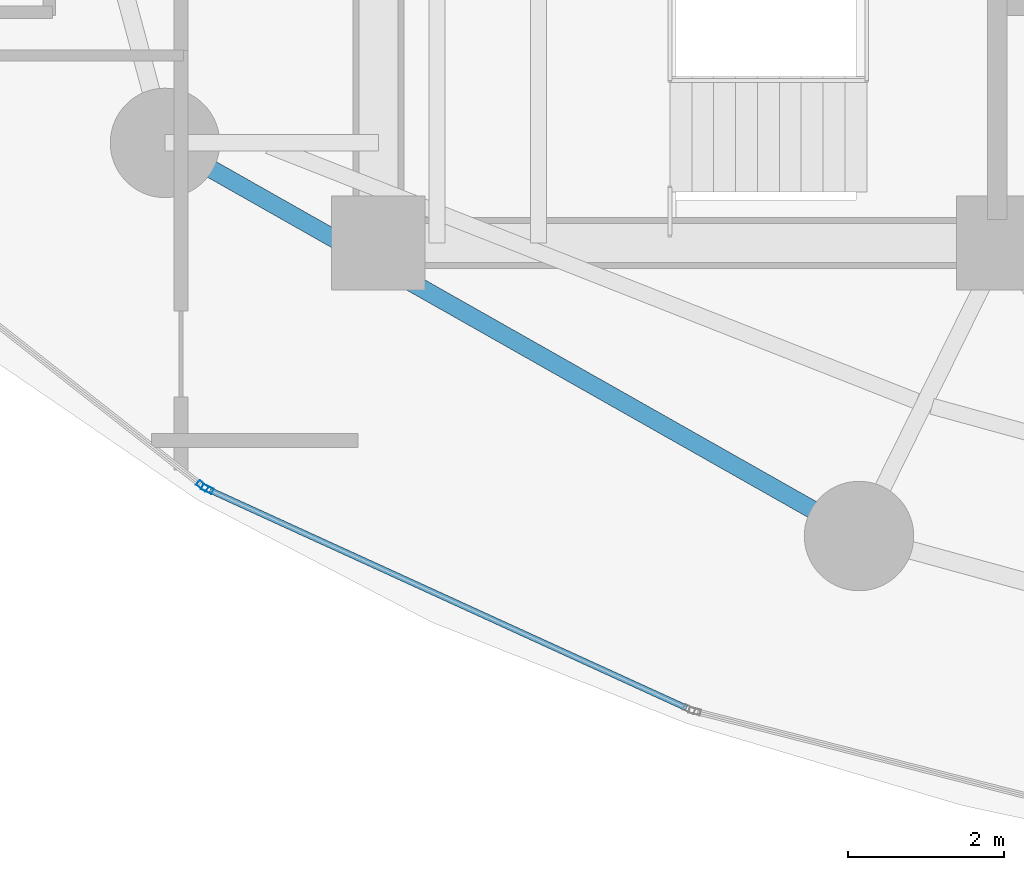
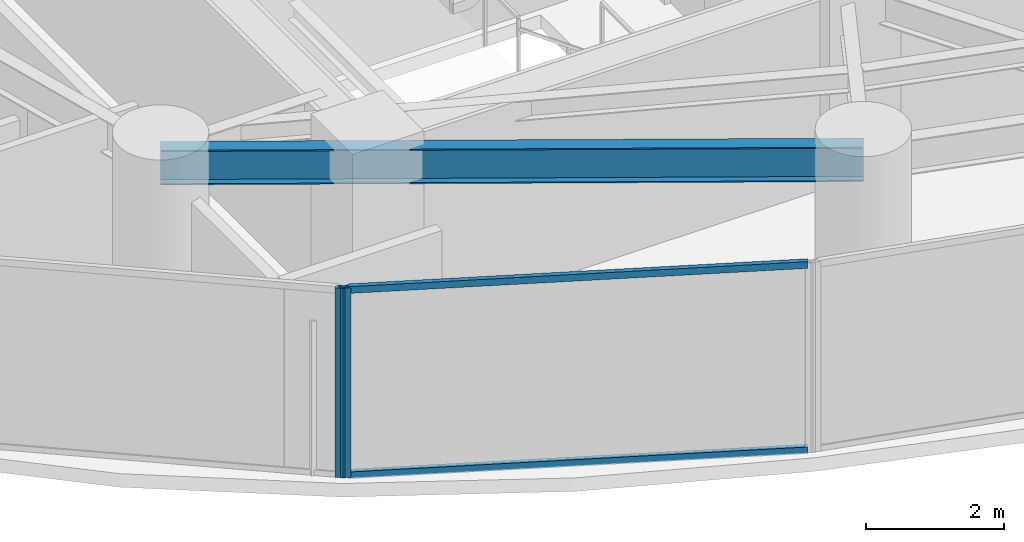
# One storey, part 2 of 33: 4 members, 1 beam, 2 elements without a shape of their own.
"""IFC4 building model written with IfcOpenShell, lengths in metres."""

from ifc_helpers import new_model, si_unit, direction, frame, origin, origin_2d, place, context, subcontext, project, spatial, hollow_rectangle, i_section, extrude, material, layer, layer_set, material_profile, profile_set, type_object, element, aggregate, save


model = new_model("IFC4")

# Units and contexts
model_context = context("Model", 3, precision=1e-05, world=origin(), true_north=direction((0.0, 1.0)))
body_context = subcontext(model_context, "Body", "Model", "MODEL_VIEW")
ifc_project = project(units=[si_unit("LENGTHUNIT", "METRE"), si_unit("AREAUNIT", "SQUARE_METRE"), si_unit("VOLUMEUNIT", "CUBIC_METRE"), si_unit("PLANEANGLEUNIT", "RADIAN"), si_unit("MASSUNIT", "GRAM", prefix="KILO")], contexts=[model_context])

# Site, building, storey
site_placement = place(None, origin())
site = spatial("IfcSite", under=ifc_project, at=site_placement, CompositionType="ELEMENT")
building_placement = place(site_placement, origin())
building = spatial("IfcBuilding", under=site, at=building_placement, Name="Kazevale Care Tower and Concert Hall", CompositionType="ELEMENT")
storey_placement = place(building_placement, frame((0.0, 0.0, 27.60009765625)))
storey = spatial("IfcBuildingStorey", under=building, at=storey_placement, Name="L06", CompositionType="ELEMENT", Elevation=27.60009765625)

# Curtain wall, member
ifc_material_1 = material(Name="Aluminium 6063-T6 and Low-E Glass", Category="aluminium")
ifc_layer = layer(ifc_material_1, 0.179931640625)
ifc_layer_set = layer_set([ifc_layer], Name="Aluminium 6063-T6 and Low-E Glass")
curtain_wall_type = type_object("IfcCurtainWallType", Name="Sheltered Concave Balcony Curtain Wall CW-5", PredefinedType="NOTDEFINED", material=ifc_layer_set)
curtain_wall_1_placement = place(storey_placement, origin())
curtain_wall_1 = element("IfcCurtainWall", 1, at=curtain_wall_1_placement, inside=storey, type_object=curtain_wall_type, Name="cw:L06:f09", PredefinedType="NOTDEFINED")
ifc_material_2 = material(Name="Aluminium 6063-T6", Category="aluminium")
ifc_material_profile_1 = material_profile(ifc_material_2, hollow_rectangle(XDim=0.074951171875, YDim=0.14990234375, WallThickness=0.00390625, at=origin_2d()), Name="ALU75x150x4")
ifc_profile_set_1 = profile_set([ifc_material_profile_1], Name="Aluminium 6063-T6")
member_type_1 = type_object("IfcMemberType", Name="CW-5 Mullion ALU75x150x4", PredefinedType="MULLION", material=ifc_profile_set_1)
member_1_placement = place(storey_placement, frame((19.81201171875, 20.451416015625, 0.0), z_axis=(0.0, 0.0, 1.0), x_axis=(-0.415659767773, -0.909520179795, 0.0)))
member_1 = element("IfcMember", 2, at=member_1_placement, type_object=member_type_1, Name="CW-5 mullion 2", PredefinedType="MULLION", context=body_context, shape_type="SweptSolid", body=[
    extrude(hollow_rectangle(XDim=0.074951171875, YDim=0.14990234375, WallThickness=0.00390625, at=origin_2d()), origin(), (0.0, 0.0, 1.0), 3.35986328125),
])

curtain_wall_2_placement = place(storey_placement, origin())
curtain_wall_2 = element("IfcCurtainWall", 3, at=curtain_wall_2_placement, inside=storey, type_object=curtain_wall_type, Name="cw:L06:f10", PredefinedType="NOTDEFINED")
member_2_placement = place(storey_placement, frame((19.74853515625, 20.490234375, 0.0), z_axis=(0.0, 0.0, 1.0), x_axis=(-0.617807548814, -0.78632934107, 0.0)))
member_2 = element("IfcMember", 4, at=member_2_placement, type_object=member_type_1, Name="CW-5 mullion 1", PredefinedType="MULLION", context=body_context, shape_type="SweptSolid", body=[
    extrude(hollow_rectangle(XDim=0.074951171875, YDim=0.14990234375, WallThickness=0.00390625, at=origin_2d()), origin(), (0.0, 0.0, 1.0), 3.35986328125),
])
aggregate(curtain_wall_2, [member_2])

# Member
ifc_material_profile_2 = material_profile(ifc_material_2, hollow_rectangle(XDim=0.074951171875, YDim=0.1201171875, WallThickness=0.00390625, at=origin_2d()), Name="ALU75x120x4")
ifc_profile_set_2 = profile_set([ifc_material_profile_2], Name="Aluminium 6063-T6")
member_type_2 = type_object("IfcMemberType", Name="CW-5 Transom ALU75x120x4", PredefinedType="USERDEFINED", material=ifc_profile_set_2)
member_3_placement = place(storey_placement, frame((25.94384765625, 17.649169921875, 0.037353515625), z_axis=(-0.909524040017, 0.415651320978, 0.0), x_axis=(-0.415651320978, -0.909524040017, 0.0)))
member_3 = element("IfcMember", 5, at=member_3_placement, type_object=member_type_2, Name="CW-5 transom 1.1", ObjectType="TRANSOM", PredefinedType="USERDEFINED", context=body_context, shape_type="SweptSolid", body=[
    extrude(hollow_rectangle(XDim=0.074951171875, YDim=0.1201171875, WallThickness=0.00390625, at=origin_2d()), origin(), (0.0, 0.0, 1.0), 6.704345703125),
])

member_4_placement = place(storey_placement, frame((25.94384765625, 17.649169921875, 3.322509765625), z_axis=(-0.909524040017, 0.415651320978, 0.0), x_axis=(-0.415651320978, -0.909524040017, 0.0)))
member_4 = element("IfcMember", 6, at=member_4_placement, type_object=member_type_2, Name="CW-5 transom 1.2", ObjectType="TRANSOM", PredefinedType="USERDEFINED", context=body_context, shape_type="SweptSolid", body=[
    extrude(hollow_rectangle(XDim=0.074951171875, YDim=0.1201171875, WallThickness=0.00390625, at=origin_2d()), origin(), (0.0, 0.0, 1.0), 6.704345703125),
])

aggregate(curtain_wall_1, [member_1, member_3, member_4])

# Beam
ifc_material_3 = material(Name="Steel ASTM A572 Gr 50", Category="steel")
ifc_material_profile_3 = material_profile(ifc_material_3, i_section(OverallWidth=0.22900390625, OverallDepth=0.612060546875, WebThickness=0.011962890625, FlangeThickness=0.01953125, at=origin_2d()), Name="W610x125")
ifc_profile_set_3 = profile_set([ifc_material_profile_3], Name="Steel ASTM A572 Gr 50")
beam_type = type_object("IfcBeamType", Name="Ring Spandrel Beam W610x125", PredefinedType="SPANDREL", material=ifc_profile_set_3)
beam_placement = place(storey_placement, frame((19.27001953125, 24.8798828125, 3.053955078125), z_axis=(0.870112469479, -0.492853213906, 0.0), x_axis=(0.492853213906, 0.870112469479, 0.0)))
element("IfcBeam", 7, at=beam_placement, inside=storey, type_object=beam_type, Name="beam:L06:ring:10", PredefinedType="SPANDREL", context=body_context, shape_type="SweptSolid", body=[
    extrude(i_section(OverallWidth=0.22900390625, OverallDepth=0.612060546875, WebThickness=0.011962890625, FlangeThickness=0.01953125, at=origin_2d()), origin(), (0.0, 0.0, 1.0), 10.205322265625),
])

save(model, "model.ifc")
